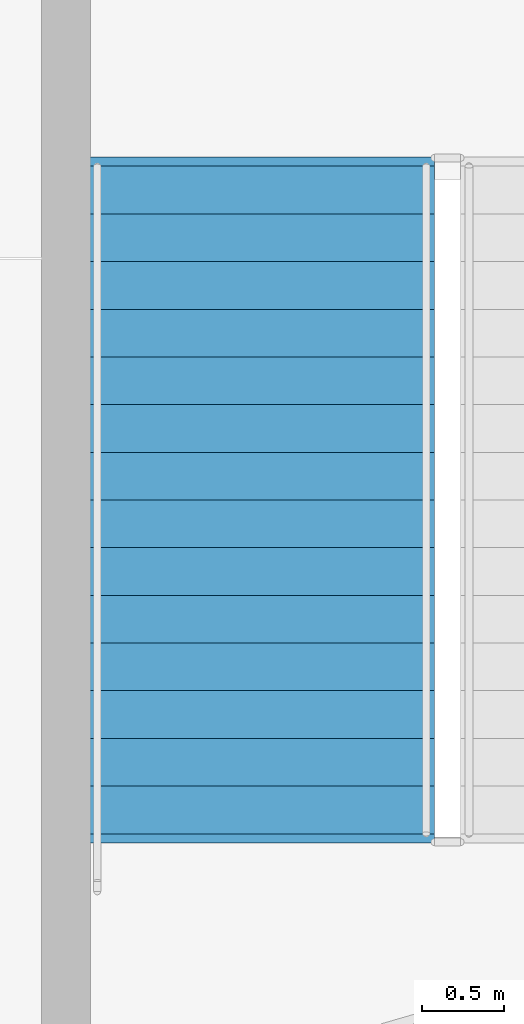
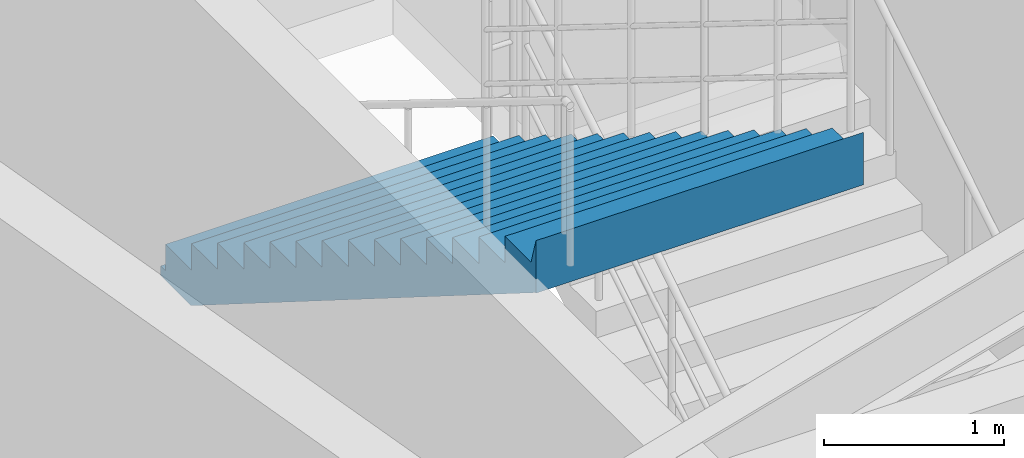
# One storey, part 68 of 93: 1 stair flight, 1 element without a shape of its own.
"""IFC4 building model written with IfcOpenShell, lengths in metres."""

import ifcopenshell
import ifcopenshell.guid

model = None  # the IFC model being written
_history = None  # IfcOwnerHistory: only IFC2X3 demands one
_inside = {}  # id of a spatial element -> (the spatial element, [elements in it])
_under = {}  # id of a project, library or spatial element -> (it, [spatial elements below it])
_declared = {}  # id of a project -> (the project, [libraries it declares])
_typed = {}  # id of a type object -> (the type object, [elements of that type])
_made_of = {}  # id of a material, layer set ... -> (it, [elements and type objects made of it])


def new_model(schema):
    """Start an empty IFC model of exactly this schema.

    Asked for "IFC4X3", IfcOpenShell would pick the latest addendum, in which some entities
    have other attributes; the version numbers below select the first issue.
    IFC2X3 requires an IfcOwnerHistory on every rooted entity: one is made here for all.
    """
    global model, _history
    if schema == "IFC4X3":
        model = ifcopenshell.file(schema_version=(4, 3, 0, 0))
    else:
        model = ifcopenshell.file(schema=schema)
    _inside.clear()
    _under.clear()
    _declared.clear()
    _typed.clear()
    _made_of.clear()
    _history = None
    if model.schema == "IFC2X3":
        org = make("IfcOrganization", Name="unknown")
        user = make(
            "IfcPersonAndOrganization",
            ThePerson=make("IfcPerson", FamilyName="unknown"),
            TheOrganization=org,
        )
        app = make(
            "IfcApplication",
            ApplicationDeveloper=org,
            Version="unknown",
            ApplicationFullName="unknown",
            ApplicationIdentifier="unknown",
        )
        _history = make(
            "IfcOwnerHistory",
            OwningUser=user,
            OwningApplication=app,
            ChangeAction="ADDED",
            CreationDate=0,
        )
    return model


def make(cls, **values):
    """One entity of the class cls with the attributes given. An attribute that is None is left unset."""
    return model.create_entity(
        cls, **{name: value for name, value in values.items() if value is not None}
    )


def rooted(cls, **values):
    """An entity with a GlobalId (a new one), such as an element, a storey or a relation."""
    return make(cls, GlobalId=ifcopenshell.guid.new(), OwnerHistory=_history, **values)


def si_unit(unit_type, name, prefix=None):
    """IfcSIUnit, for example si_unit("LENGTHUNIT", "METRE", prefix="MILLI")."""
    return make("IfcSIUnit", UnitType=unit_type, Prefix=prefix, Name=name)


def assignment(units):
    """IfcUnitAssignment: the units of a project."""
    return None if units is None else make("IfcUnitAssignment", Units=units)


def point(xyz):
    """IfcCartesianPoint."""
    return None if xyz is None else make("IfcCartesianPoint", Coordinates=xyz)


def direction(xyz):
    """IfcDirection."""
    return None if xyz is None else make("IfcDirection", DirectionRatios=xyz)


def frame(location, z_axis=None, x_axis=None):
    """IfcAxis2Placement3D, a coordinate frame: its origin and axes. An axis left out is left unset."""
    return make(
        "IfcAxis2Placement3D",
        Location=point(location),
        Axis=direction(z_axis),
        RefDirection=direction(x_axis),
    )


def origin():
    """The frame at (0, 0, 0) with its axes left unset."""
    return frame((0.0, 0.0, 0.0))


def place(relative_to, where):
    """IfcLocalPlacement: puts the frame where relative to a parent placement (None: the world)."""
    return make(
        "IfcLocalPlacement", PlacementRelTo=relative_to, RelativePlacement=where
    )


def context(
    kind, dimensions, precision=None, world=None, true_north=None, identifier=None
):
    """IfcGeometricRepresentationContext, for example the 3D "Model" context."""
    return make(
        "IfcGeometricRepresentationContext",
        ContextIdentifier=identifier,
        ContextType=kind,
        CoordinateSpaceDimension=dimensions,
        Precision=precision,
        WorldCoordinateSystem=world,
        TrueNorth=true_north,
    )


def subcontext(parent, identifier, kind, view, scale=None):
    """IfcGeometricRepresentationSubContext, for example "Body" below "Model"."""
    return make(
        "IfcGeometricRepresentationSubContext",
        ContextIdentifier=identifier,
        ContextType=kind,
        ParentContext=parent,
        TargetScale=scale,
        TargetView=view,
    )


def project(units=None, contexts=None):
    """IfcProject with its units and contexts."""
    return rooted(
        "IfcProject",
        Name="project",
        RepresentationContexts=contexts,
        UnitsInContext=assignment(units),
    )


def spatial(cls, under=None, at=None, **own):
    """A site, building, storey or space (cls), placed at a placement, below another one or the project."""
    s = rooted(cls, ObjectPlacement=at, **own)
    if under is not None:
        _under.setdefault(under.id(), (under, []))[1].append(s)
    return s


def polyline(points):
    """IfcPolyline through the points."""
    return make("IfcPolyline", Points=[point(p) for p in points])


def outline(outer, holes=None, kind="AREA"):
    """IfcArbitraryClosedProfileDef: a profile drawn as a closed curve; with holes, ...WithVoids."""
    if holes is None:
        return make("IfcArbitraryClosedProfileDef", ProfileType=kind, OuterCurve=outer)
    return make(
        "IfcArbitraryProfileDefWithVoids",
        ProfileType=kind,
        OuterCurve=outer,
        InnerCurves=holes,
    )


def extrude(swept, where, along, depth):
    """IfcExtrudedAreaSolid: the profile swept, set in the frame where, extruded along a direction by depth."""
    return make(
        "IfcExtrudedAreaSolid",
        SweptArea=swept,
        Position=where,
        ExtrudedDirection=direction(along),
        Depth=depth,
    )


def shape(context_of_items, identifier, shape_type, items):
    """IfcShapeRepresentation: the items that make up one representation, for example the "Body"."""
    return make(
        "IfcShapeRepresentation",
        ContextOfItems=context_of_items,
        RepresentationIdentifier=identifier,
        RepresentationType=shape_type,
        Items=items,
    )


def material(Name=None, Category=None):
    """IfcMaterial."""
    return make("IfcMaterial", Name=Name, Category=Category)


def made_of(thing, what):
    """Note that an element or type object is made of a material, layer set ...; save() writes the relation."""
    if what is not None:
        _made_of.setdefault(what.id(), (what, []))[1].append(thing)
    return thing


def type_object(cls, material=None, **own):
    """A type object (cls), such as IfcWallType, which elements share."""
    return made_of(rooted(cls, **own), material)


def element(
    cls,
    number,
    at=None,
    inside=None,
    cuts=None,
    type_object=None,
    material=None,
    context=None,
    identifier="Body",
    shape_type=None,
    held_by="IfcProductDefinitionShape",
    body=None,
    shapes=None,
    **own,
):
    """One element of the class cls, such as IfcWall. Its Tag is "e" and its number.

    at: its placement. inside: the storey or other place that contains it. cuts: it is an
    opening in that element (IfcRelVoidsElement). A single representation is given by context,
    identifier, shape_type and body (its items); several are given by shapes. held_by: the class
    of the entity that holds the representations. save() writes the other relations.
    """
    e = rooted(cls, Tag="e%d" % number, ObjectPlacement=at, **own)
    if body is not None:
        shapes = [shape(context, identifier, shape_type, body)]
    if shapes is not None:
        e.Representation = make(held_by, Representations=shapes)
    if inside is not None:
        _inside.setdefault(inside.id(), (inside, []))[1].append(e)
    if cuts is not None:
        rooted(
            "IfcRelVoidsElement", RelatingBuildingElement=cuts, RelatedOpeningElement=e
        )
    if type_object is not None:
        _typed.setdefault(type_object.id(), (type_object, []))[1].append(e)
    return made_of(e, material)


def aggregate(whole, parts):
    """IfcRelAggregates: a whole, such as a stair, and the parts it consists of."""
    return rooted("IfcRelAggregates", RelatingObject=whole, RelatedObjects=parts)


def save(model, path):
    """Write the relations noted so far, then the file.

    IfcRelAggregates (storeys below a building ...), IfcRelContainedInSpatialStructure (elements
    in a storey), IfcRelDefinesByType, IfcRelAssociatesMaterial and IfcRelDeclares: one each for
    every whole, place, type object, material and project.
    """
    for whole, parts in _under.values():
        aggregate(whole, parts)
    for where, things in _inside.values():
        rooted(
            "IfcRelContainedInSpatialStructure",
            RelatedElements=things,
            RelatingStructure=where,
        )
    for kind, things in _typed.values():
        rooted("IfcRelDefinesByType", RelatedObjects=things, RelatingType=kind)
    for what, things in _made_of.values():
        rooted("IfcRelAssociatesMaterial", RelatedObjects=things, RelatingMaterial=what)
    for by, libraries in _declared.values():
        rooted("IfcRelDeclares", RelatingContext=by, RelatedDefinitions=libraries)
    model.write(path)


model = new_model("IFC4")

# Units and contexts
model_context = context("Model", 3, precision=1e-05, world=origin(), true_north=direction((0.0, 1.0)))
body_context = subcontext(model_context, "Body", "Model", "MODEL_VIEW")
ifc_project = project(units=[si_unit("LENGTHUNIT", "METRE"), si_unit("AREAUNIT", "SQUARE_METRE"), si_unit("VOLUMEUNIT", "CUBIC_METRE"), si_unit("PLANEANGLEUNIT", "RADIAN"), si_unit("MASSUNIT", "GRAM", prefix="KILO")], contexts=[model_context])

# Site, building, storey
site_placement = place(None, origin())
site = spatial("IfcSite", under=ifc_project, at=site_placement, CompositionType="ELEMENT")
building_placement = place(site_placement, origin())
building = spatial("IfcBuilding", under=site, at=building_placement, Name="Cinderbank Siding Concert Hall", CompositionType="ELEMENT")
storey_placement = place(building_placement, origin())
storey = spatial("IfcBuildingStorey", under=building, at=storey_placement, Name="L01", CompositionType="ELEMENT", Elevation=0.0)

# Stair, stair flight
ifc_material = material(Name="Reinforced concrete AS 3600 N50 (50 MPa)", Category="concrete")
stair_type = type_object("IfcStairType", Name="STR-D Dogleg Exit Stair 2100mm", PredefinedType="HALF_TURN_STAIR", material=ifc_material)
stair_placement = place(storey_placement, origin())
stair = element("IfcStair", 1, at=stair_placement, inside=storey, type_object=stair_type, Name="L01 West Drum Exit Stair ST-04", PredefinedType="HALF_TURN_STAIR")
stair_flight_type = type_object("IfcStairFlightType", Name="SFL-D Concrete Stair Flight 2100mm", PredefinedType="STRAIGHT", material=ifc_material)
stair_flight_placement = place(storey_placement, frame((98.590087890625, 44.56005859375, 2.699951171875), z_axis=(0.0, 0.0, 1.0), x_axis=(0.0, -1.0, 0.0)))
stair_flight = element("IfcStairFlight", 2, at=stair_flight_placement, type_object=stair_flight_type, Name="ST-04 flight 2", NumberOfRisers=15, NumberOfTreads=14, PredefinedType="STRAIGHT", RiserHeight=0.18, TreadLength=0.29, context=body_context, shape_type="SweptSolid", body=[
    extrude(outline(polyline([(0.0, 0.0), (0.0, 0.179931640625), (0.2900390625, 0.179931640625), (0.2900390625, 0.360107421875), (0.580078125, 0.360107421875), (0.580078125, 0.5400390625), (0.8701171875, 0.5400390625), (0.8701171875, 0.719970703125), (1.159912109375, 0.719970703125), (1.159912109375, 0.89990234375), (1.449951171875, 0.89990234375), (1.449951171875, 1.080078125), (1.739990234375, 1.080078125), (1.739990234375, 1.260009765625), (2.030029296875, 1.260009765625), (2.030029296875, 1.43994140625), (2.320068359375, 1.43994140625), (2.320068359375, 1.6201171875), (2.610107421875, 1.6201171875), (2.610107421875, 1.800048828125), (2.89990234375, 1.800048828125), (2.89990234375, 1.97998046875), (3.18994140625, 1.97998046875), (3.18994140625, 2.159912109375), (3.47998046875, 2.159912109375), (3.47998046875, 2.340087890625), (3.77001953125, 2.340087890625), (3.77001953125, 2.52001953125), (4.06005859375, 2.52001953125), (4.114990234375, 2.699951171875), (4.114990234375, 2.343505859375), (4.11474609375, 2.34375), (4.11474609375, 2.343994140625), (4.11474609375, 2.34423828125), (4.11474609375, 2.344482421875), (4.11474609375, 2.3447265625), (4.11474609375, 2.344970703125), (4.11474609375, 2.34521484375), (4.11474609375, 2.345458984375), (4.11474609375, 2.345703125), (4.11474609375, 2.345947265625), (4.11474609375, 2.34619140625), (4.11474609375, 2.346435546875), (4.114501953125, 2.346435546875), (4.114501953125, 2.34619140625), (4.114501953125, 2.345947265625), (4.114501953125, 2.345703125), (4.114501953125, 2.345458984375), (4.114501953125, 2.34521484375), (4.114501953125, 2.344970703125), (4.114501953125, 2.3447265625), (4.114501953125, 2.344482421875), (4.114501953125, 2.34423828125), (4.114501953125, 2.343994140625), (4.114501953125, 2.34375), (4.114501953125, 2.343505859375), (4.1142578125, 2.34375), (4.1142578125, 2.343994140625), (4.1142578125, 2.34423828125), (4.1142578125, 2.344482421875), (4.1142578125, 2.3447265625), (4.1142578125, 2.344970703125), (4.1142578125, 2.34521484375), (4.1142578125, 2.345458984375), (4.1142578125, 2.345703125), (4.1142578125, 2.345947265625), (4.1142578125, 2.34619140625), (4.1142578125, 2.346435546875), (4.114013671875, 2.346435546875), (4.114013671875, 2.34619140625), (4.114013671875, 2.345947265625), (4.114013671875, 2.345703125), (4.114013671875, 2.345458984375), (4.114013671875, 2.34521484375), (4.114013671875, 2.344970703125), (4.114013671875, 2.3447265625), (4.114013671875, 2.344482421875), (4.114013671875, 2.34423828125), (4.114013671875, 2.343994140625), (4.114013671875, 2.34375), (4.114013671875, 2.343505859375), (4.11376953125, 2.34375), (4.11376953125, 2.343994140625), (4.11376953125, 2.34423828125), (4.11376953125, 2.344482421875), (4.11376953125, 2.3447265625), (4.11376953125, 2.344970703125), (4.11376953125, 2.34521484375), (4.11376953125, 2.345458984375), (4.11376953125, 2.345703125), (4.11376953125, 2.345947265625), (4.11376953125, 2.34619140625), (4.11376953125, 2.346435546875), (4.113525390625, 2.346435546875), (4.113525390625, 2.34619140625), (4.113525390625, 2.345947265625), (4.113525390625, 2.345703125), (4.113525390625, 2.345458984375), (4.113525390625, 2.34521484375), (4.113525390625, 2.344970703125), (4.113525390625, 2.3447265625), (4.113525390625, 2.344482421875), (4.113525390625, 2.34423828125), (4.113525390625, 2.343994140625), (4.113525390625, 2.34375), (4.113525390625, 2.343505859375), (4.11328125, 2.34375), (4.11328125, 2.343994140625), (4.11328125, 2.34423828125), (4.11328125, 2.344482421875), (4.11328125, 2.3447265625), (4.11328125, 2.344970703125), (4.11328125, 2.34521484375), (4.11328125, 2.345458984375), (4.11328125, 2.345703125), (4.11328125, 2.345947265625), (4.11328125, 2.34619140625), (4.11328125, 2.346435546875), (4.113037109375, 2.346435546875), (4.113037109375, 2.34619140625), (4.113037109375, 2.345947265625), (4.113037109375, 2.345703125), (4.113037109375, 2.345458984375), (4.113037109375, 2.34521484375), (4.113037109375, 2.344970703125), (4.113037109375, 2.3447265625), (4.113037109375, 2.344482421875), (4.113037109375, 2.34423828125), (4.113037109375, 2.343994140625), (4.113037109375, 2.34375), (4.113037109375, 2.343505859375), (4.11279296875, 2.34375), (4.11279296875, 2.343994140625), (4.11279296875, 2.34423828125), (4.11279296875, 2.344482421875), (4.11279296875, 2.3447265625), (4.11279296875, 2.344970703125), (4.11279296875, 2.34521484375), (4.11279296875, 2.345458984375), (4.11279296875, 2.345703125), (4.11279296875, 2.345947265625), (4.11279296875, 2.34619140625), (4.11279296875, 2.346435546875), (4.112548828125, 2.346435546875), (4.112548828125, 2.34619140625), (4.112548828125, 2.345947265625), (4.112548828125, 2.345703125), (4.112548828125, 2.345458984375), (4.112548828125, 2.34521484375), (4.112548828125, 2.344970703125), (4.112548828125, 2.3447265625), (4.112548828125, 2.344482421875), (4.112548828125, 2.34423828125), (4.112548828125, 2.343994140625), (4.112548828125, 2.34375), (4.112548828125, 2.343505859375), (4.1123046875, 2.34375), (4.1123046875, 2.343994140625), (4.1123046875, 2.34423828125), (4.1123046875, 2.344482421875), (4.1123046875, 2.3447265625), (4.1123046875, 2.344970703125), (4.1123046875, 2.34521484375), (4.1123046875, 2.345458984375), (4.1123046875, 2.345703125), (4.1123046875, 2.345947265625), (4.1123046875, 2.34619140625), (4.1123046875, 2.346435546875), (4.112060546875, 2.346435546875), (4.112060546875, 2.34619140625), (4.112060546875, 2.345947265625), (4.112060546875, 2.345703125), (4.112060546875, 2.345458984375), (4.112060546875, 2.34521484375), (4.112060546875, 2.344970703125), (4.112060546875, 2.3447265625), (4.112060546875, 2.344482421875), (4.112060546875, 2.34423828125), (4.112060546875, 2.343994140625), (4.112060546875, 2.34375), (4.112060546875, 2.343505859375), (4.11181640625, 2.34375), (4.11181640625, 2.343994140625), (4.11181640625, 2.34423828125), (4.11181640625, 2.344482421875), (4.11181640625, 2.3447265625), (4.11181640625, 2.344970703125), (4.11181640625, 2.34521484375), (4.11181640625, 2.345458984375), (4.11181640625, 2.345703125), (4.11181640625, 2.345947265625), (4.11181640625, 2.34619140625), (4.11181640625, 2.346435546875), (4.111572265625, 2.346435546875), (4.111572265625, 2.34619140625), (4.111572265625, 2.345947265625), (4.111572265625, 2.345703125), (4.111572265625, 2.345458984375), (4.111572265625, 2.34521484375), (4.111572265625, 2.344970703125), (4.111572265625, 2.3447265625), (4.111572265625, 2.344482421875), (4.111572265625, 2.34423828125), (4.111572265625, 2.343994140625), (4.111572265625, 2.34375), (4.111572265625, 2.343505859375), (4.111328125, 2.34375), (4.111328125, 2.343994140625), (4.111328125, 2.34423828125), (4.111328125, 2.344482421875), (4.111328125, 2.3447265625), (4.111328125, 2.344970703125), (4.111328125, 2.34521484375), (4.111328125, 2.345458984375), (4.111328125, 2.345703125), (4.111328125, 2.345947265625), (4.111328125, 2.34619140625), (4.111328125, 2.346435546875), (4.111083984375, 2.346435546875), (4.111083984375, 2.34619140625), (4.111083984375, 2.345947265625), (4.111083984375, 2.345703125), (4.111083984375, 2.345458984375), (4.111083984375, 2.34521484375), (4.111083984375, 2.344970703125), (4.111083984375, 2.3447265625), (4.111083984375, 2.344482421875), (4.111083984375, 2.34423828125), (4.111083984375, 2.343994140625), (4.111083984375, 2.34375), (4.111083984375, 2.343505859375), (4.11083984375, 2.34375), (4.11083984375, 2.343994140625), (4.11083984375, 2.34423828125), (4.11083984375, 2.344482421875), (4.11083984375, 2.3447265625), (4.11083984375, 2.344970703125), (4.11083984375, 2.34521484375), (4.11083984375, 2.345458984375), (4.11083984375, 2.345703125), (4.11083984375, 2.345947265625), (4.11083984375, 2.34619140625), (4.11083984375, 2.346435546875), (4.110595703125, 2.346435546875), (4.110595703125, 2.34619140625), (4.110595703125, 2.345947265625), (4.110595703125, 2.345703125), (4.110595703125, 2.345458984375), (4.110595703125, 2.34521484375), (4.110595703125, 2.344970703125), (4.110595703125, 2.3447265625), (4.110595703125, 2.344482421875), (4.110595703125, 2.34423828125), (4.110595703125, 2.343994140625), (4.110595703125, 2.34375), (4.110595703125, 2.343505859375), (4.1103515625, 2.34375), (4.1103515625, 2.343994140625), (4.1103515625, 2.34423828125), (4.1103515625, 2.344482421875), (4.1103515625, 2.3447265625), (4.1103515625, 2.344970703125), (4.1103515625, 2.34521484375), (4.1103515625, 2.345458984375), (4.1103515625, 2.345703125), (4.1103515625, 2.345947265625), (4.1103515625, 2.34619140625), (4.1103515625, 2.346435546875), (4.110107421875, 2.346435546875), (4.110107421875, 2.34619140625), (4.110107421875, 2.345947265625), (4.110107421875, 2.345703125), (4.110107421875, 2.345458984375), (4.110107421875, 2.34521484375), (4.110107421875, 2.344970703125), (4.110107421875, 2.3447265625), (4.110107421875, 2.344482421875), (4.110107421875, 2.34423828125), (4.110107421875, 2.343994140625), (4.110107421875, 2.34375), (4.110107421875, 2.343505859375), (4.10986328125, 2.34375), (4.10986328125, 2.343994140625), (4.10986328125, 2.34423828125), (4.10986328125, 2.344482421875), (4.10986328125, 2.3447265625), (4.10986328125, 2.344970703125), (4.10986328125, 2.34521484375), (4.10986328125, 2.345458984375), (4.10986328125, 2.345703125), (4.10986328125, 2.345947265625), (4.10986328125, 2.34619140625), (4.10986328125, 2.346435546875), (4.109619140625, 2.346435546875), (4.109619140625, 2.34619140625), (4.109619140625, 2.345947265625), (4.109619140625, 2.345703125), (4.109619140625, 2.345458984375), (4.109619140625, 2.34521484375), (4.109619140625, 2.344970703125), (4.109619140625, 2.3447265625), (4.109619140625, 2.344482421875), (4.109619140625, 2.34423828125), (4.109619140625, 2.343994140625), (4.109619140625, 2.34375), (4.109619140625, 2.343505859375), (4.109375, 2.34375), (4.109375, 2.343994140625), (4.109375, 2.34423828125), (4.109375, 2.344482421875), (4.109375, 2.3447265625), (4.109375, 2.344970703125), (4.109375, 2.34521484375), (4.109375, 2.345458984375), (4.109375, 2.345703125), (4.109375, 2.345947265625), (4.109375, 2.34619140625), (4.109375, 2.346435546875), (4.109130859375, 2.346435546875), (4.109130859375, 2.34619140625), (4.109130859375, 2.345947265625), (4.109130859375, 2.345703125), (4.109130859375, 2.345458984375), (4.109130859375, 2.34521484375), (4.109130859375, 2.344970703125), (4.109130859375, 2.3447265625), (4.109130859375, 2.344482421875), (4.109130859375, 2.34423828125), (4.109130859375, 2.343994140625), (4.109130859375, 2.34375), (4.109130859375, 2.343505859375), (4.10888671875, 2.34375), (4.10888671875, 2.343994140625), (4.10888671875, 2.34423828125), (4.10888671875, 2.344482421875), (4.10888671875, 2.3447265625), (4.10888671875, 2.344970703125), (4.10888671875, 2.34521484375), (4.10888671875, 2.345458984375), (4.10888671875, 2.345703125), (4.10888671875, 2.345947265625), (4.10888671875, 2.34619140625), (4.10888671875, 2.346435546875), (4.108642578125, 2.346435546875), (4.108642578125, 2.34619140625), (4.108642578125, 2.345947265625), (4.108642578125, 2.345703125), (4.108642578125, 2.345458984375), (4.108642578125, 2.34521484375), (4.108642578125, 2.344970703125), (4.108642578125, 2.3447265625), (4.108642578125, 2.344482421875), (4.108642578125, 2.34423828125), (4.108642578125, 2.343994140625), (4.108642578125, 2.34375), (4.108642578125, 2.343505859375), (0.2841796875, -0.06396484375), (-0.048583984375, -0.063720703125), (-0.048583984375, -0.0634765625), (-0.048583984375, -0.063232421875), (-0.048583984375, -0.06298828125), (-0.048583984375, -0.062744140625), (-0.048583984375, -0.0625), (-0.048583984375, -0.062255859375), (-0.048583984375, -0.06201171875), (-0.048583984375, -0.061767578125), (-0.048583984375, -0.0615234375), (-0.048583984375, -0.061279296875), (-0.048583984375, -0.06103515625), (-0.048828125, -0.06103515625), (-0.048828125, -0.061279296875), (-0.048828125, -0.0615234375), (-0.048828125, -0.061767578125), (-0.048828125, -0.06201171875), (-0.048828125, -0.062255859375), (-0.048828125, -0.0625), (-0.048828125, -0.062744140625), (-0.048828125, -0.06298828125), (-0.048828125, -0.063232421875), (-0.048828125, -0.0634765625), (-0.048828125, -0.063720703125), (-0.048828125, -0.06396484375), (-0.049072265625, -0.063720703125), (-0.049072265625, -0.0634765625), (-0.049072265625, -0.063232421875), (-0.049072265625, -0.06298828125), (-0.049072265625, -0.062744140625), (-0.049072265625, -0.0625), (-0.049072265625, -0.062255859375), (-0.049072265625, -0.06201171875), (-0.049072265625, -0.061767578125), (-0.049072265625, -0.0615234375), (-0.049072265625, -0.061279296875), (-0.049072265625, -0.06103515625), (-0.04931640625, -0.06103515625), (-0.04931640625, -0.061279296875), (-0.04931640625, -0.0615234375), (-0.04931640625, -0.061767578125), (-0.04931640625, -0.06201171875), (-0.04931640625, -0.062255859375), (-0.04931640625, -0.0625), (-0.04931640625, -0.062744140625), (-0.04931640625, -0.06298828125), (-0.04931640625, -0.063232421875), (-0.04931640625, -0.0634765625), (-0.04931640625, -0.063720703125), (-0.04931640625, -0.06396484375), (-0.049560546875, -0.063720703125), (-0.049560546875, -0.0634765625), (-0.049560546875, -0.063232421875), (-0.049560546875, -0.06298828125), (-0.049560546875, -0.062744140625), (-0.049560546875, -0.0625), (-0.049560546875, -0.062255859375), (-0.049560546875, -0.06201171875), (-0.049560546875, -0.061767578125), (-0.049560546875, -0.0615234375), (-0.049560546875, -0.061279296875), (-0.049560546875, -0.06103515625), (-0.0498046875, -0.06103515625), (-0.0498046875, -0.061279296875), (-0.0498046875, -0.0615234375), (-0.0498046875, -0.061767578125), (-0.0498046875, -0.06201171875), (-0.0498046875, -0.062255859375), (-0.0498046875, -0.0625), (-0.0498046875, -0.062744140625), (-0.0498046875, -0.06298828125), (-0.0498046875, -0.063232421875), (-0.0498046875, -0.0634765625), (-0.0498046875, -0.063720703125), (-0.0498046875, -0.06396484375), (-0.050048828125, -0.063720703125), (-0.050048828125, -0.0634765625), (-0.050048828125, -0.063232421875), (-0.050048828125, -0.06298828125), (-0.050048828125, -0.062744140625), (-0.050048828125, -0.0625), (-0.050048828125, -0.062255859375), (-0.050048828125, -0.06201171875), (-0.050048828125, -0.061767578125), (-0.050048828125, -0.0615234375), (-0.050048828125, -0.061279296875), (-0.050048828125, -0.06103515625), (-0.05029296875, -0.06103515625), (-0.05029296875, -0.061279296875), (-0.05029296875, -0.0615234375), (-0.05029296875, -0.061767578125), (-0.05029296875, -0.06201171875), (-0.05029296875, -0.062255859375), (-0.05029296875, -0.0625), (-0.05029296875, -0.062744140625), (-0.05029296875, -0.06298828125), (-0.05029296875, -0.063232421875), (-0.05029296875, -0.0634765625), (-0.05029296875, -0.063720703125), (-0.05029296875, -0.06396484375), (-0.050537109375, -0.063720703125), (-0.050537109375, -0.0634765625), (-0.050537109375, -0.063232421875), (-0.050537109375, -0.06298828125), (-0.050537109375, -0.062744140625), (-0.050537109375, -0.0625), (-0.050537109375, -0.062255859375), (-0.050537109375, -0.06201171875), (-0.050537109375, -0.061767578125), (-0.050537109375, -0.0615234375), (-0.050537109375, -0.061279296875), (-0.050537109375, -0.06103515625), (-0.05078125, -0.06103515625), (-0.05078125, -0.061279296875), (-0.05078125, -0.0615234375), (-0.05078125, -0.061767578125), (-0.05078125, -0.06201171875), (-0.05078125, -0.062255859375), (-0.05078125, -0.0625), (-0.05078125, -0.062744140625), (-0.05078125, -0.06298828125), (-0.05078125, -0.063232421875), (-0.05078125, -0.0634765625), (-0.05078125, -0.063720703125), (-0.05078125, -0.06396484375), (-0.051025390625, -0.063720703125), (-0.051025390625, -0.0634765625), (-0.051025390625, -0.063232421875), (-0.051025390625, -0.06298828125), (-0.051025390625, -0.062744140625), (-0.051025390625, -0.0625), (-0.051025390625, -0.062255859375), (-0.051025390625, -0.06201171875), (-0.051025390625, -0.061767578125), (-0.051025390625, -0.0615234375), (-0.051025390625, -0.061279296875), (-0.051025390625, -0.06103515625), (-0.05126953125, -0.06103515625), (-0.05126953125, -0.061279296875), (-0.05126953125, -0.0615234375), (-0.05126953125, -0.061767578125), (-0.05126953125, -0.06201171875), (-0.05126953125, -0.062255859375), (-0.05126953125, -0.0625), (-0.05126953125, -0.062744140625), (-0.05126953125, -0.06298828125), (-0.05126953125, -0.063232421875), (-0.05126953125, -0.0634765625), (-0.05126953125, -0.063720703125), (-0.05126953125, -0.06396484375), (-0.051513671875, -0.063720703125), (-0.051513671875, -0.0634765625), (-0.051513671875, -0.063232421875), (-0.051513671875, -0.06298828125), (-0.051513671875, -0.062744140625), (-0.051513671875, -0.0625), (-0.051513671875, -0.062255859375), (-0.051513671875, -0.06201171875), (-0.051513671875, -0.061767578125), (-0.051513671875, -0.0615234375), (-0.051513671875, -0.061279296875), (-0.051513671875, -0.06103515625), (-0.0517578125, -0.06103515625), (-0.0517578125, -0.061279296875), (-0.0517578125, -0.0615234375), (-0.0517578125, -0.061767578125), (-0.0517578125, -0.06201171875), (-0.0517578125, -0.062255859375), (-0.0517578125, -0.0625), (-0.0517578125, -0.062744140625), (-0.0517578125, -0.06298828125), (-0.0517578125, -0.063232421875), (-0.0517578125, -0.0634765625), (-0.0517578125, -0.063720703125), (-0.0517578125, -0.06396484375), (-0.052001953125, -0.063720703125), (-0.052001953125, -0.0634765625), (-0.052001953125, -0.063232421875), (-0.052001953125, -0.06298828125), (-0.052001953125, -0.062744140625), (-0.052001953125, -0.0625), (-0.052001953125, -0.062255859375), (-0.052001953125, -0.06201171875), (-0.052001953125, -0.061767578125), (-0.052001953125, -0.0615234375), (-0.052001953125, -0.061279296875), (-0.052001953125, -0.06103515625), (-0.05224609375, -0.06103515625), (-0.05224609375, -0.061279296875), (-0.05224609375, -0.0615234375), (-0.05224609375, -0.061767578125), (-0.05224609375, -0.06201171875), (-0.05224609375, -0.062255859375), (-0.05224609375, -0.0625), (-0.05224609375, -0.062744140625), (-0.05224609375, -0.06298828125), (-0.05224609375, -0.063232421875), (-0.05224609375, -0.0634765625), (-0.05224609375, -0.063720703125), (-0.05224609375, -0.06396484375), (-0.052490234375, -0.063720703125), (-0.052490234375, -0.0634765625), (-0.052490234375, -0.063232421875), (-0.052490234375, -0.06298828125), (-0.052490234375, -0.062744140625), (-0.052490234375, -0.0625), (-0.052490234375, -0.062255859375), (-0.052490234375, -0.06201171875), (-0.052490234375, -0.061767578125), (-0.052490234375, -0.0615234375), (-0.052490234375, -0.061279296875), (-0.052490234375, -0.06103515625), (-0.052734375, -0.06103515625), (-0.052734375, -0.061279296875), (-0.052734375, -0.0615234375), (-0.052734375, -0.061767578125), (-0.052734375, -0.06201171875), (-0.052734375, -0.062255859375), (-0.052734375, -0.0625), (-0.052734375, -0.062744140625), (-0.052734375, -0.06298828125), (-0.052734375, -0.063232421875), (-0.052734375, -0.0634765625), (-0.052734375, -0.063720703125), (-0.052734375, -0.06396484375), (-0.052978515625, -0.063720703125), (-0.052978515625, -0.0634765625), (-0.052978515625, -0.063232421875), (-0.052978515625, -0.06298828125), (-0.052978515625, -0.062744140625), (-0.052978515625, -0.0625), (-0.052978515625, -0.062255859375), (-0.052978515625, -0.06201171875), (-0.052978515625, -0.061767578125), (-0.052978515625, -0.0615234375), (-0.052978515625, -0.061279296875), (-0.052978515625, -0.06103515625), (-0.05322265625, -0.06103515625), (-0.05322265625, -0.061279296875), (-0.05322265625, -0.0615234375), (-0.05322265625, -0.061767578125), (-0.05322265625, -0.06201171875), (-0.05322265625, -0.062255859375), (-0.05322265625, -0.0625), (-0.05322265625, -0.062744140625), (-0.05322265625, -0.06298828125), (-0.05322265625, -0.063232421875), (-0.05322265625, -0.0634765625), (-0.05322265625, -0.063720703125), (-0.05322265625, -0.06396484375), (-0.053466796875, -0.063720703125), (-0.053466796875, -0.0634765625), (-0.053466796875, -0.063232421875), (-0.053466796875, -0.06298828125), (-0.053466796875, -0.062744140625), (-0.053466796875, -0.0625), (-0.053466796875, -0.062255859375), (-0.053466796875, -0.06201171875), (-0.053466796875, -0.061767578125), (-0.053466796875, -0.0615234375), (-0.053466796875, -0.061279296875), (-0.053466796875, -0.06103515625), (-0.0537109375, -0.06103515625), (-0.0537109375, -0.061279296875), (-0.0537109375, -0.0615234375), (-0.0537109375, -0.061767578125), (-0.0537109375, -0.06201171875), (-0.0537109375, -0.062255859375), (-0.0537109375, -0.0625), (-0.0537109375, -0.062744140625), (-0.0537109375, -0.06298828125), (-0.0537109375, -0.063232421875), (-0.0537109375, -0.0634765625), (-0.0537109375, -0.063720703125), (-0.0537109375, -0.06396484375), (-0.053955078125, -0.063720703125), (-0.053955078125, -0.0634765625), (-0.053955078125, -0.063232421875), (-0.053955078125, -0.06298828125), (-0.053955078125, -0.062744140625), (-0.053955078125, -0.0625), (-0.053955078125, -0.062255859375), (-0.053955078125, -0.06201171875), (-0.053955078125, -0.061767578125), (-0.053955078125, -0.0615234375), (-0.053955078125, -0.061279296875), (-0.053955078125, -0.06103515625), (-0.05419921875, -0.06103515625), (-0.05419921875, -0.061279296875), (-0.05419921875, -0.0615234375), (-0.05419921875, -0.061767578125), (-0.05419921875, -0.06201171875), (-0.05419921875, -0.062255859375), (-0.05419921875, -0.0625), (-0.05419921875, -0.062744140625), (-0.05419921875, -0.06298828125), (-0.05419921875, -0.063232421875), (-0.05419921875, -0.0634765625), (-0.05419921875, -0.063720703125), (-0.05419921875, -0.06396484375), (-0.054443359375, -0.063720703125), (-0.054443359375, -0.0634765625), (-0.054443359375, -0.063232421875), (-0.054443359375, -0.06298828125), (-0.054443359375, -0.062744140625), (-0.054443359375, -0.0625), (-0.054443359375, -0.062255859375), (-0.054443359375, -0.06201171875), (-0.054443359375, -0.061767578125), (-0.054443359375, -0.0615234375), (-0.054443359375, -0.061279296875), (-0.054443359375, -0.06103515625), (-0.0546875, -0.06103515625), (-0.0546875, -0.061279296875), (-0.0546875, -0.0615234375), (-0.0546875, -0.061767578125), (-0.0546875, -0.06201171875), (-0.0546875, -0.062255859375), (-0.0546875, -0.0625), (-0.0546875, -0.062744140625), (-0.0546875, -0.06298828125), (-0.0546875, -0.063232421875), (-0.0546875, -0.0634765625), (-0.0546875, -0.063720703125), (-0.0546875, -0.06396484375), (-0.054931640625, -0.06396484375), (-0.054931640625, 0.0), (0.0, 0.0)])), frame((0.0, 1.050048828125, 0.0), z_axis=(0.0, -1.0, 0.0), x_axis=(1.0, 0.0, 0.0)), (0.0, 0.0, 1.0), 2.10009765625),
])
aggregate(stair, [stair_flight])

save(model, "model.ifc")
